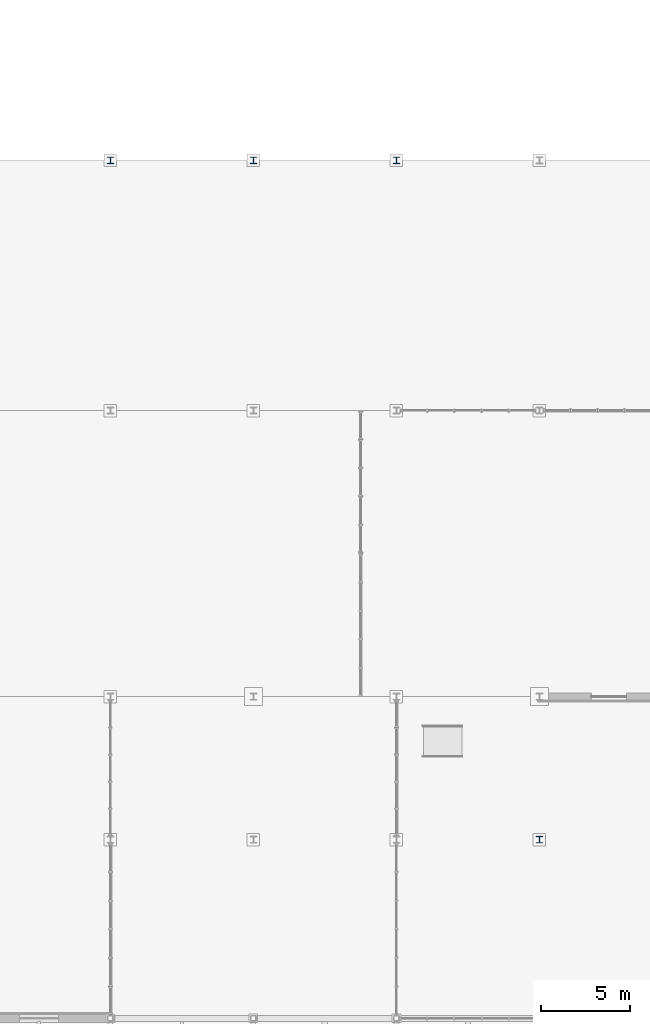
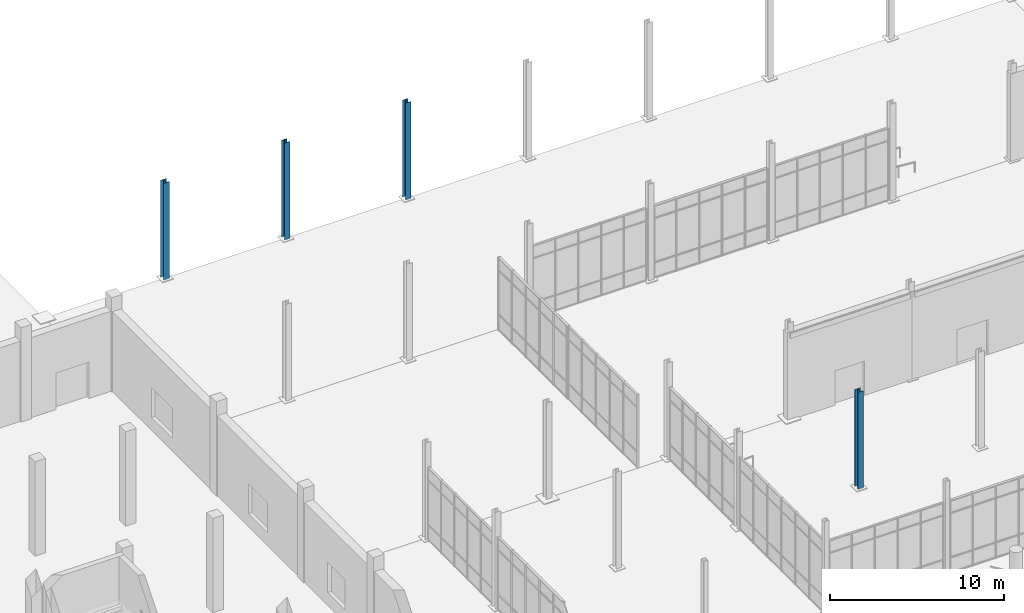
# One storey, part 12 of 140: 4 columns.
"""IFC4 building model written with IfcOpenShell, lengths in metres."""

from ifc_helpers import new_model, si_unit, direction, frame, origin, origin_2d, place, context, subcontext, project, spatial, i_section, extrude, material, material_profile, profile_set, type_object, element, save


model = new_model("IFC4")

# Units and contexts
model_context = context("Model", 3, precision=1e-05, world=origin(), true_north=direction((0.0, 1.0)))
body_context = subcontext(model_context, "Body", "Model", "MODEL_VIEW")
ifc_project = project(units=[si_unit("LENGTHUNIT", "METRE"), si_unit("AREAUNIT", "SQUARE_METRE"), si_unit("VOLUMEUNIT", "CUBIC_METRE"), si_unit("PLANEANGLEUNIT", "RADIAN"), si_unit("MASSUNIT", "GRAM", prefix="KILO")], contexts=[model_context])

# Site, building, storey
site_placement = place(None, origin())
site = spatial("IfcSite", under=ifc_project, at=site_placement, CompositionType="ELEMENT")
building_placement = place(site_placement, origin())
building = spatial("IfcBuilding", under=site, at=building_placement, Name="Verrall Gate Interchange", CompositionType="ELEMENT")
storey_placement = place(building_placement, origin())
storey = spatial("IfcBuildingStorey", under=building, at=storey_placement, Name="L01", CompositionType="ELEMENT", Elevation=0.0)

# Columns
ifc_material = material(Name="Structural Steel CSA G40.21 350W", Category="steel")
ifc_material_profile = material_profile(ifc_material, i_section(OverallWidth=0.368896484375, OverallDepth=0.35595703125, WebThickness=0.01123046875, FlangeThickness=0.01806640625, FilletRadius=0.014892578125, at=origin_2d()), Name="W360x134")
ifc_profile_set = profile_set([ifc_material_profile], Name="Structural Steel CSA G40.21 350W")
column_type = type_object("IfcColumnType", Name="C-08 Column W360x134", PredefinedType="COLUMN", material=ifc_profile_set)
for number, where, z_axis, x_axis, name in (
    (1, (68.0, 66.0, 0.0), (0.0, 0.0, 1.0), (1.0, 0.0, 0.0), "Bus Concourse Steel Column 1540"),
    (2, (44.0, 104.0, 0.0), (0.0, 0.0, 1.0), (1.0, 0.0, 0.0), "Bus Concourse Steel Column 1612"),
    (3, (52.0, 104.0, 0.0), (0.0, 0.0, 1.0), (1.0, 0.0, 0.0), "Bus Concourse Steel Column 1614"),
    (4, (60.0, 104.0, 0.0), (0.0, 0.0, 1.0), (1.0, 0.0, 0.0), "Bus Concourse Steel Column 1616"),
):
    element("IfcColumn", number, at=place(storey_placement, frame(where, z_axis=z_axis, x_axis=x_axis)), inside=storey, type_object=column_type, Name=name, PredefinedType="COLUMN", context=body_context, shape_type="SweptSolid", body=[
        extrude(i_section(OverallWidth=0.368896484375, OverallDepth=0.35595703125, WebThickness=0.01123046875, FlangeThickness=0.01806640625, FilletRadius=0.014892578125, at=origin_2d()), origin(), (0.0, 0.0, 1.0), 6.800048828125),
    ])

save(model, "model.ifc")
